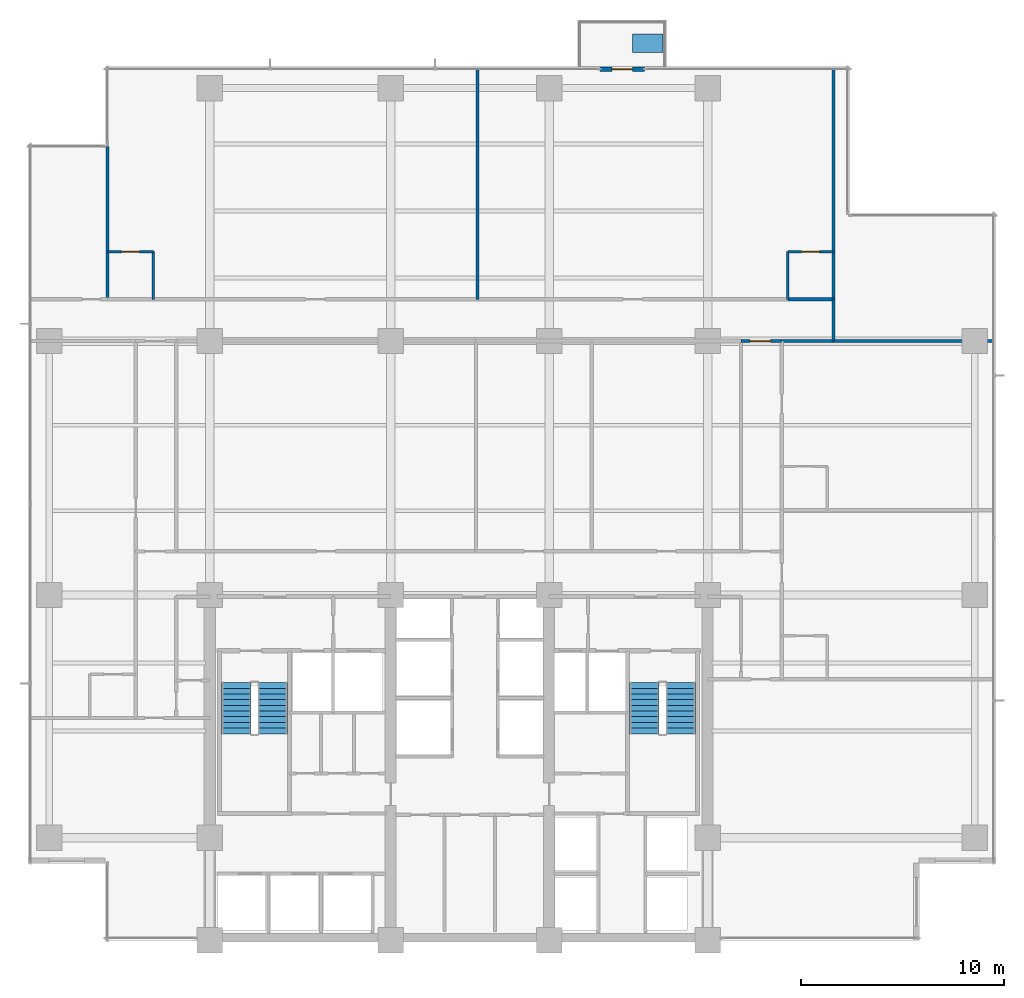
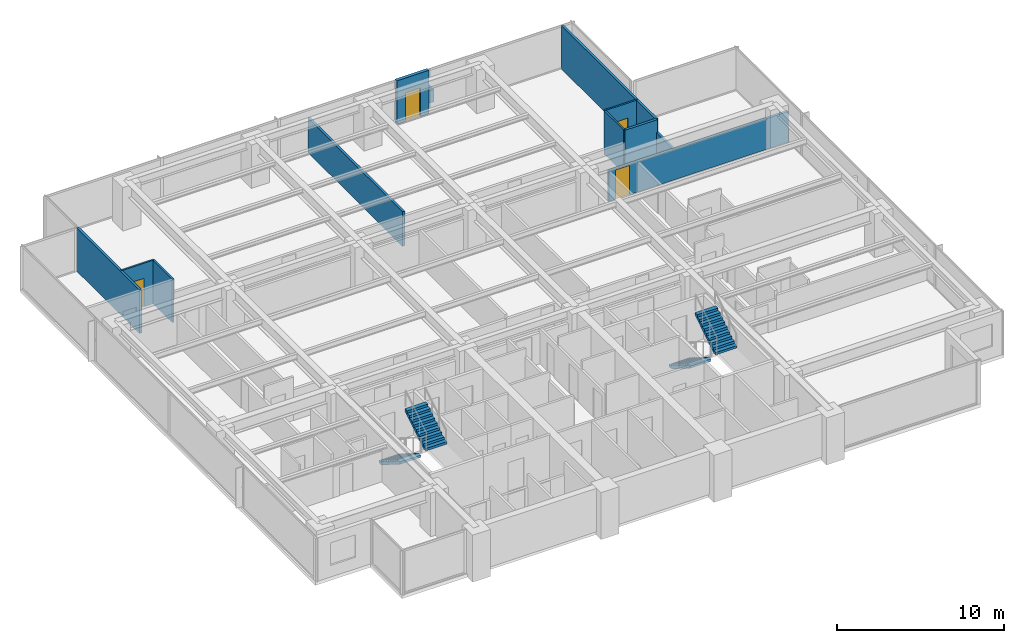
# One storey, part 11 of 16: 12 walls, 4 doors, 4 stair flights, 1 discrete accessory, 4 openings, 2 elements without a shape of their own.
"""IFC4 building model written with IfcOpenShell, lengths in metres."""

from ifc_helpers import new_model, si_unit, direction, frame, frame_2d, origin, place, context, subcontext, project, spatial, polyline, rectangle, outline, extrude, material, layer, layer_set, type_object, element, fill, aggregate, save


model = new_model("IFC4")

# Units and contexts
model_context = context("Model", 3, precision=1e-05, world=origin(), true_north=direction((0.0, 1.0)))
body_context = subcontext(model_context, "Body", "Model", "MODEL_VIEW")
ifc_project = project(units=[si_unit("LENGTHUNIT", "METRE"), si_unit("AREAUNIT", "SQUARE_METRE"), si_unit("VOLUMEUNIT", "CUBIC_METRE"), si_unit("PLANEANGLEUNIT", "RADIAN"), si_unit("MASSUNIT", "GRAM", prefix="KILO")], contexts=[model_context])

# Site, building, storey
site_placement = place(None, origin())
site = spatial("IfcSite", under=ifc_project, at=site_placement, CompositionType="ELEMENT")
building_placement = place(site_placement, origin())
building = spatial("IfcBuilding", under=site, at=building_placement, Name="Qalmaran Belvedere Hotel", CompositionType="ELEMENT")
storey_placement = place(building_placement, frame((0.0, 0.0, 126.699951171875)))
storey = spatial("IfcBuildingStorey", under=building, at=storey_placement, Name="L32", CompositionType="ELEMENT", Elevation=126.699951171875)

# Wall, opening, door
ifc_material_1 = material(Name="Anodised Bronze Cladding")
ifc_layer_1 = layer(ifc_material_1, 0.22509765625, Name="Anodised Bronze Cladding")
ifc_layer_set_1 = layer_set([ifc_layer_1], Name="Anodised Bronze Cladding")
wall_type_1 = type_object("IfcWallType", Name="WL-BAL-PORT-225", PredefinedType="SOLIDWALL", material=ifc_layer_set_1)
wall_1_placement = place(storey_placement, frame((39.5, 46.3798828125, 0.0), z_axis=(0.0, 0.0, 1.0), x_axis=(1.0, 0.0, 0.0)))
wall_1 = element("IfcWall", 1, at=wall_1_placement, inside=storey, type_object=wall_type_1, Name="L32 Tree Balcony Door Portal", PredefinedType="SOLIDWALL", context=body_context, shape_type="SweptSolid", body=[
    extrude(rectangle(XDim=2.199951171875, YDim=0.22509765625, at=frame_2d((1.10009765625, 0.0))), origin(), (0.0, 0.0, 1.0), 3.179931640625),
])
opening_1_placement = place(wall_1_placement, frame((0.590087890625, 0.0, 0.0)))
opening_1 = element("IfcOpeningElement", 2, at=opening_1_placement, cuts=wall_1, Name="Opening BL-102", PredefinedType="OPENING", context=body_context, shape_type="SweptSolid", body=[
    extrude(rectangle(XDim=1.02001953125, YDim=2.10009765625, at=frame_2d((0.510009765625, 1.050048828125))), frame((0.0, 0.12255859375, 0.0), z_axis=(0.0, -1.0, 0.0), x_axis=(1.0, 0.0, 0.0)), (0.0, 0.0, 1.0), 0.2451171875),
])
ifc_material_2 = material(Name="Anodised Bronze Aluminium", Category="aluminium")
door_type_1 = type_object("IfcDoorType", Name="DR-BAL-1020X2100", OperationType="NOTDEFINED", PredefinedType="DOOR", material=ifc_material_2)
door_1_placement = place(opening_1_placement, origin())
door_1 = element("IfcDoor", 3, at=door_1_placement, inside=storey, type_object=door_type_1, Name="L32 Planted Tree Balcony Door", OperationType="SINGLE_SWING_LEFT", OverallHeight=2.10009765625, OverallWidth=1.02001953125, PredefinedType="DOOR", context=body_context, shape_type="SweptSolid", body=[
    extrude(rectangle(XDim=1.02001953125, YDim=2.10009765625, at=frame_2d((0.510009765625, 1.050048828125))), frame((0.0, 0.02490234375, 0.0), z_axis=(0.0, -1.0, 0.0), x_axis=(1.0, 0.0, 0.0)), (0.0, 0.0, 1.0), 0.050048828125),
])
fill(opening_1, door_1)

ifc_material_3 = material(Name="Moisture-Resistant Gypsum")
ifc_layer_2 = layer(ifc_material_3, 0.1201171875, Name="Moisture-Resistant Gypsum")
ifc_layer_set_2 = layer_set([ifc_layer_2], Name="Moisture-Resistant Gypsum")
wall_type_2 = type_object("IfcWallType", Name="WL-INT-120-BATH", PredefinedType="PARTITIONING", material=ifc_layer_set_2)
wall_2_placement = place(storey_placement, frame((15.27001953125, 37.39990234375, 0.0), z_axis=(0.0, 0.0, 1.0), x_axis=(1.0, 0.0, 0.0)))
wall_2 = element("IfcWall", 4, at=wall_2_placement, inside=storey, type_object=wall_type_2, Name="L32 Partition WL-L32-NBN00", PredefinedType="PARTITIONING", context=body_context, shape_type="SweptSolid", body=[
    extrude(rectangle(XDim=2.25, YDim=0.1201171875, at=frame_2d((1.125, 0.0))), origin(), (0.0, 0.0, 1.0), 3.179931640625),
])
opening_2_placement = place(wall_2_placement, frame((1.56494140625, 0.0, 0.0), z_axis=(0.0, 0.0, 1.0), x_axis=(-1.0, 0.0, 0.0)))
opening_2 = element("IfcOpeningElement", 5, at=opening_2_placement, cuts=wall_2, Name="Opening D-BATH", PredefinedType="OPENING", context=body_context, shape_type="SweptSolid", body=[
    extrude(rectangle(XDim=0.8798828125, YDim=2.080078125, at=frame_2d((0.43994140625, 1.0400390625))), frame((0.0, 0.070068359375, 0.0), z_axis=(0.0, -1.0, 0.0), x_axis=(1.0, 0.0, 0.0)), (0.0, 0.0, 1.0), 0.14013671875),
])
ifc_material_4 = material(Name="Engineered Oak Veneer")
door_type_2 = type_object("IfcDoorType", Name="DR-INT-BATH-880X2080", OperationType="NOTDEFINED", PredefinedType="DOOR", material=ifc_material_4)
door_2_placement = place(opening_2_placement, origin())
door_2 = element("IfcDoor", 6, at=door_2_placement, inside=storey, type_object=door_type_2, Name="L32 Ensuite Bathroom Door N01", OperationType="SINGLE_SWING_RIGHT", OverallHeight=2.080078125, OverallWidth=0.8798828125, PredefinedType="DOOR", context=body_context, shape_type="SweptSolid", body=[
    extrude(rectangle(XDim=0.8798828125, YDim=2.080078125, at=frame_2d((0.43994140625, 1.0400390625))), frame((0.0, 0.02490234375, 0.0), z_axis=(0.0, -1.0, 0.0), x_axis=(1.0, 0.0, 0.0)), (0.0, 0.0, 1.0), 0.050048828125),
])
fill(opening_2, door_2)

# Wall
wall_3_placement = place(storey_placement, frame((17.52001953125, 35.050048828125, 0.0), z_axis=(0.0, 0.0, 1.0), x_axis=(0.0, 1.0, 0.0)))
element("IfcWall", 7, at=wall_3_placement, inside=storey, type_object=wall_type_2, Name="L32 Partition WL-L32-NBS00", PredefinedType="PARTITIONING", context=body_context, shape_type="SweptSolid", body=[
    extrude(rectangle(XDim=2.349853515625, YDim=0.1201171875, at=frame_2d((1.1748046875, 0.0))), origin(), (0.0, 0.0, 1.0), 3.179931640625),
])

# Wall, opening, door
wall_4_placement = place(storey_placement, frame((48.75, 37.39990234375, 0.0), z_axis=(0.0, 0.0, 1.0), x_axis=(1.0, 0.0, 0.0)))
wall_4 = element("IfcWall", 8, at=wall_4_placement, inside=storey, type_object=wall_type_2, Name="L32 Partition WL-L32-NBN01", PredefinedType="PARTITIONING", context=body_context, shape_type="SweptSolid", body=[
    extrude(rectangle(XDim=2.25, YDim=0.1201171875, at=frame_2d((1.125, 0.0))), origin(), (0.0, 0.0, 1.0), 3.179931640625),
])
opening_3_placement = place(wall_4_placement, frame((1.56494140625, 0.0, 0.0), z_axis=(0.0, 0.0, 1.0), x_axis=(-1.0, 0.0, 0.0)))
opening_3 = element("IfcOpeningElement", 9, at=opening_3_placement, cuts=wall_4, Name="Opening D-BATH", PredefinedType="OPENING", context=body_context, shape_type="SweptSolid", body=[
    extrude(rectangle(XDim=0.8798828125, YDim=2.080078125, at=frame_2d((0.43994140625, 1.0400390625))), frame((0.0, 0.070068359375, 0.0), z_axis=(0.0, -1.0, 0.0), x_axis=(1.0, 0.0, 0.0)), (0.0, 0.0, 1.0), 0.14013671875),
])
door_3_placement = place(opening_3_placement, origin())
door_3 = element("IfcDoor", 10, at=door_3_placement, inside=storey, type_object=door_type_2, Name="L32 Ensuite Bathroom Door N02", OperationType="SINGLE_SWING_RIGHT", OverallHeight=2.080078125, OverallWidth=0.8798828125, PredefinedType="DOOR", context=body_context, shape_type="SweptSolid", body=[
    extrude(rectangle(XDim=0.8798828125, YDim=2.080078125, at=frame_2d((0.43994140625, 1.0400390625))), frame((0.0, 0.02490234375, 0.0), z_axis=(0.0, -1.0, 0.0), x_axis=(1.0, 0.0, 0.0)), (0.0, 0.0, 1.0), 0.050048828125),
])
fill(opening_3, door_3)

# Wall
wall_5_placement = place(storey_placement, frame((48.75, 35.050048828125, 0.0), z_axis=(0.0, 0.0, 1.0), x_axis=(0.0, 1.0, 0.0)))
element("IfcWall", 11, at=wall_5_placement, inside=storey, type_object=wall_type_2, Name="L32 Partition WL-L32-NBS01", PredefinedType="PARTITIONING", context=body_context, shape_type="SweptSolid", body=[
    extrude(rectangle(XDim=2.349853515625, YDim=0.1201171875, at=frame_2d((1.1748046875, 0.0))), origin(), (0.0, 0.0, 1.0), 3.179931640625),
])

# Wall, opening, door
ifc_material_5 = material(Name="Gypsum Stud Partition")
ifc_layer_3 = layer(ifc_material_5, 0.14990234375, Name="Gypsum Stud Partition")
ifc_layer_set_3 = layer_set([ifc_layer_3], Name="Gypsum Stud Partition")
wall_type_3 = type_object("IfcWallType", Name="WL-INT-150-EI60", PredefinedType="PARTITIONING", material=ifc_layer_set_3)
wall_6_placement = place(storey_placement, frame((46.449951171875, 33.0, 0.0), z_axis=(0.0, 0.0, 1.0), x_axis=(1.0, 0.0, 0.0)))
wall_6 = element("IfcWall", 12, at=wall_6_placement, inside=storey, type_object=wall_type_3, Name="L32 Partition WL-L32-XCE2", PredefinedType="PARTITIONING", context=body_context, shape_type="SweptSolid", body=[
    extrude(rectangle(XDim=2.0, YDim=0.14990234375, at=frame_2d((1.0, 0.0))), origin(), (0.0, 0.0, 1.0), 2.2529296875),
])
opening_4_placement = place(wall_6_placement, frame((0.449951171875, 0.0, 0.0)))
opening_4 = element("IfcOpeningElement", 13, at=opening_4_placement, cuts=wall_6, Name="Opening FD90B", PredefinedType="OPENING", context=body_context, shape_type="SweptSolid", body=[
    extrude(rectangle(XDim=1.0, YDim=2.14990234375, at=frame_2d((0.5, 1.074951171875))), frame((0.0, 0.0849609375, 0.0), z_axis=(0.0, -1.0, 0.0), x_axis=(1.0, 0.0, 0.0)), (0.0, 0.0, 1.0), 0.169921875),
])
ifc_material_6 = material(Name="Steel S355JR", Category="steel")
door_type_3 = type_object("IfcDoorType", Name="DR-FD90B-1000X2150", OperationType="NOTDEFINED", PredefinedType="DOOR", material=ifc_material_6)
door_4_placement = place(opening_4_placement, origin())
door_4 = element("IfcDoor", 14, at=door_4_placement, inside=storey, type_object=door_type_3, Name="L32 East Corridor Smoke Door N", OperationType="SINGLE_SWING_RIGHT", OverallHeight=2.14990234375, OverallWidth=1.0, PredefinedType="DOOR", context=body_context, shape_type="SweptSolid", body=[
    extrude(rectangle(XDim=1.0, YDim=2.14990234375, at=frame_2d((0.5, 1.074951171875))), frame((0.0, 0.02490234375, 0.0), z_axis=(0.0, -1.0, 0.0), x_axis=(1.0, 0.0, 0.0)), (0.0, 0.0, 1.0), 0.050048828125),
])
fill(opening_4, door_4)

# Walls
ifc_layer_4 = layer(ifc_material_5, 0.159912109375, Name="Gypsum Stud Partition")
ifc_layer_set_4 = layer_set([ifc_layer_4], Name="Gypsum Stud Partition")
wall_type_4 = type_object("IfcWallType", Name="WL-INT-160-EI60", PredefinedType="PARTITIONING", material=ifc_layer_set_4)
wall_7_placement = place(storey_placement, frame((51.0, 33.0, 0.0), z_axis=(0.0, 0.0, 1.0), x_axis=(0.0, 1.0, 0.0)))
element("IfcWall", 15, at=wall_7_placement, inside=storey, type_object=wall_type_4, Name="L32 Partition WL-L32-NCGE", PredefinedType="PARTITIONING", context=body_context, shape_type="SweptSolid", body=[
    extrude(rectangle(XDim=2.050048828125, YDim=0.159912109375, at=frame_2d((1.02490234375, 0.0))), origin(), (0.0, 0.0, 1.0), 2.2529296875),
])
wall_8_placement = place(storey_placement, frame((15.27001953125, 35.050048828125, 0.0), z_axis=(0.0, 0.0, 1.0), x_axis=(0.0, 1.0, 0.0)))
element("IfcWall", 16, at=wall_8_placement, inside=storey, type_object=wall_type_4, Name="L32 Partition WL-L32-NUL", PredefinedType="PARTITIONING", context=body_context, shape_type="SweptSolid", body=[
    extrude(rectangle(XDim=7.530029296875, YDim=0.159912109375, at=frame_2d((3.76513671875, 0.0))), origin(), (0.0, 0.0, 1.0), 3.179931640625),
])
wall_9_placement = place(storey_placement, frame((33.47509765625, 35.050048828125, 0.0), z_axis=(0.0, 0.0, 1.0), x_axis=(0.0, 1.0, 0.0)))
element("IfcWall", 17, at=wall_9_placement, inside=storey, type_object=wall_type_4, Name="L32 Partition WL-L32-NUR00", PredefinedType="PARTITIONING", context=body_context, shape_type="SweptSolid", body=[
    extrude(rectangle(XDim=11.329833984375, YDim=0.159912109375, at=frame_2d((5.6650390625, 0.0))), origin(), (0.0, 0.0, 1.0), 2.54296875),
])
wall_10_placement = place(storey_placement, frame((51.0, 35.050048828125, 0.0), z_axis=(0.0, 0.0, 1.0), x_axis=(0.0, 1.0, 0.0)))
element("IfcWall", 18, at=wall_10_placement, inside=storey, type_object=wall_type_4, Name="L32 Partition WL-L32-NUR01", PredefinedType="PARTITIONING", context=body_context, shape_type="SweptSolid", body=[
    extrude(rectangle(XDim=11.329833984375, YDim=0.159912109375, at=frame_2d((5.6650390625, 0.0))), origin(), (0.0, 0.0, 1.0), 3.179931640625),
])
wall_11_placement = place(storey_placement, frame((48.449951171875, 33.0, 0.0), z_axis=(0.0, 0.0, 1.0), x_axis=(1.0, 0.0, 0.0)))
element("IfcWall", 19, at=wall_11_placement, inside=storey, type_object=wall_type_4, Name="L32 Partition WL-L32-EU01", PredefinedType="PARTITIONING", context=body_context, shape_type="SweptSolid", body=[
    extrude(rectangle(XDim=10.429931640625, YDim=0.159912109375, at=frame_2d((5.21484375, 0.0))), origin(), (0.0, 0.0, 1.0), 2.2529296875),
])
ifc_layer_5 = layer(ifc_material_5, 0.179931640625, Name="Gypsum Stud Partition")
ifc_layer_set_5 = layer_set([ifc_layer_5], Name="Gypsum Stud Partition")
wall_type_5 = type_object("IfcWallType", Name="WL-INT-180-EI60", PredefinedType="PARTITIONING", material=ifc_layer_set_5)
wall_12_placement = place(storey_placement, frame((48.75, 35.050048828125, 0.0), z_axis=(0.0, 0.0, 1.0), x_axis=(1.0, 0.0, 0.0)))
element("IfcWall", 20, at=wall_12_placement, inside=storey, type_object=wall_type_5, Name="L32 Partition WL-L32-NBC01", PredefinedType="PARTITIONING", context=body_context, shape_type="SweptSolid", body=[
    extrude(rectangle(XDim=2.25, YDim=0.179931640625, at=frame_2d((1.125, 0.0))), origin(), (0.0, 0.0, 1.0), 3.179931640625),
])

# Stair, stair flights
ifc_material_7 = material(Name="Concrete C40/50", Category="concrete")
stair_type_1 = type_object("IfcStairType", Name="STR-ST-1-1450-R1750", PredefinedType="HALF_TURN_STAIR", material=ifc_material_7)
stair_1_placement = place(storey_placement, origin())
stair_1 = element("IfcStair", 21, at=stair_1_placement, inside=storey, type_object=stair_type_1, Name="L32 West Core Exit Stair ST-1", PredefinedType="HALF_TURN_STAIR")
ifc_layer_6 = layer(ifc_material_7, 0.14990234375, Name="Concrete C40/50")
ifc_layer_set_6 = layer_set([ifc_layer_6], Name="Concrete C40/50")
stair_flight_type_1 = type_object("IfcStairFlightType", Name="STF-ST-1-1450-R1750", PredefinedType="STRAIGHT", material=ifc_layer_set_6)
stair_flight_1_placement = place(storey_placement, frame((21.60498046875, 16.18994140625, 0.0), z_axis=(0.0, 0.0, 1.0), x_axis=(0.0, -1.0, 0.0)))
stair_flight_1 = element("IfcStairFlight", 22, at=stair_flight_1_placement, type_object=stair_flight_type_1, Name="ST-1 flight 1", NumberOfRisers=10, NumberOfTreads=9, PredefinedType="STRAIGHT", RiserHeight=0.175, TreadLength=0.28, context=body_context, shape_type="SweptSolid", body=[
    extrude(outline(polyline([(0.0, 0.0), (0.0, 0.175048828125), (0.280029296875, 0.175048828125), (0.280029296875, 0.35009765625), (0.56005859375, 0.35009765625), (0.56005859375, 0.52490234375), (0.840087890625, 0.52490234375), (0.840087890625, 0.699951171875), (1.1201171875, 0.699951171875), (1.1201171875, 0.875), (1.39990234375, 0.875), (1.39990234375, 1.050048828125), (1.679931640625, 1.050048828125), (1.679931640625, 1.22509765625), (1.9599609375, 1.22509765625), (1.9599609375, 1.39990234375), (2.239990234375, 1.39990234375), (2.239990234375, 1.574951171875), (2.52001953125, 1.574951171875), (2.52001953125, 1.75), (2.52001953125, 1.398193359375), (0.28271484375, 0.0), (0.0, 0.0)])), frame((0.0, 0.72509765625, 0.0), z_axis=(0.0, -1.0, 0.0), x_axis=(1.0, 0.0, 0.0)), (0.0, 0.0, 1.0), 1.449951171875),
])
stair_flight_2_placement = place(storey_placement, frame((23.39501953125, 13.669921875, 1.75), z_axis=(0.0, 0.0, 1.0), x_axis=(0.0, 1.0, 0.0)))
stair_flight_2 = element("IfcStairFlight", 23, at=stair_flight_2_placement, type_object=stair_flight_type_1, Name="ST-1 flight 2", NumberOfRisers=10, NumberOfTreads=9, PredefinedType="STRAIGHT", RiserHeight=0.175, TreadLength=0.28, context=body_context, shape_type="SweptSolid", body=[
    extrude(outline(polyline([(0.0, 0.0), (0.0, 0.175048828125), (0.280029296875, 0.175048828125), (0.280029296875, 0.35009765625), (0.56005859375, 0.35009765625), (0.56005859375, 0.52490234375), (0.840087890625, 0.52490234375), (0.840087890625, 0.699951171875), (1.1201171875, 0.699951171875), (1.1201171875, 0.875), (1.39990234375, 0.875), (1.39990234375, 1.050048828125), (1.679931640625, 1.050048828125), (1.679931640625, 1.22509765625), (1.9599609375, 1.22509765625), (1.9599609375, 1.39990234375), (2.239990234375, 1.39990234375), (2.239990234375, 1.574951171875), (2.52001953125, 1.574951171875), (2.52001953125, 1.75), (2.52001953125, 1.398193359375), (0.28271484375, 0.0), (0.0, 0.0)])), frame((0.0, 0.72509765625, 0.0), z_axis=(0.0, -1.0, 0.0), x_axis=(1.0, 0.0, 0.0)), (0.0, 0.0, 1.0), 1.449951171875),
])
aggregate(stair_1, [stair_flight_1, stair_flight_2])

stair_type_2 = type_object("IfcStairType", Name="STR-ST-2-1450-R1750", PredefinedType="HALF_TURN_STAIR", material=ifc_material_7)
stair_2_placement = place(storey_placement, origin())
stair_2 = element("IfcStair", 24, at=stair_2_placement, inside=storey, type_object=stair_type_2, Name="L32 East Core Exit Stair ST-2", PredefinedType="HALF_TURN_STAIR")
ifc_layer_7 = layer(ifc_material_7, 0.14990234375, Name="Concrete C40/50")
ifc_layer_set_7 = layer_set([ifc_layer_7], Name="Concrete C40/50")
stair_flight_type_2 = type_object("IfcStairFlightType", Name="STF-ST-2-1450-R1750", PredefinedType="STRAIGHT", material=ifc_layer_set_7)
stair_flight_3_placement = place(storey_placement, frame((41.68505859375, 16.18994140625, 0.0), z_axis=(0.0, 0.0, 1.0), x_axis=(0.0, -1.0, 0.0)))
stair_flight_3 = element("IfcStairFlight", 25, at=stair_flight_3_placement, type_object=stair_flight_type_2, Name="ST-2 flight 1", NumberOfRisers=10, NumberOfTreads=9, PredefinedType="STRAIGHT", RiserHeight=0.175, TreadLength=0.28, context=body_context, shape_type="SweptSolid", body=[
    extrude(outline(polyline([(0.0, 0.0), (0.0, 0.175048828125), (0.280029296875, 0.175048828125), (0.280029296875, 0.35009765625), (0.56005859375, 0.35009765625), (0.56005859375, 0.52490234375), (0.840087890625, 0.52490234375), (0.840087890625, 0.699951171875), (1.1201171875, 0.699951171875), (1.1201171875, 0.875), (1.39990234375, 0.875), (1.39990234375, 1.050048828125), (1.679931640625, 1.050048828125), (1.679931640625, 1.22509765625), (1.9599609375, 1.22509765625), (1.9599609375, 1.39990234375), (2.239990234375, 1.39990234375), (2.239990234375, 1.574951171875), (2.52001953125, 1.574951171875), (2.52001953125, 1.75), (2.52001953125, 1.398193359375), (0.28271484375, 0.0), (0.0, 0.0)])), frame((0.0, 0.72509765625, 0.0), z_axis=(0.0, -1.0, 0.0), x_axis=(1.0, 0.0, 0.0)), (0.0, 0.0, 1.0), 1.449951171875),
])
stair_flight_4_placement = place(storey_placement, frame((43.47509765625, 13.669921875, 1.75), z_axis=(0.0, 0.0, 1.0), x_axis=(0.0, 1.0, 0.0)))
stair_flight_4 = element("IfcStairFlight", 26, at=stair_flight_4_placement, type_object=stair_flight_type_2, Name="ST-2 flight 2", NumberOfRisers=10, NumberOfTreads=9, PredefinedType="STRAIGHT", RiserHeight=0.175, TreadLength=0.28, context=body_context, shape_type="SweptSolid", body=[
    extrude(outline(polyline([(0.0, 0.0), (0.0, 0.175048828125), (0.280029296875, 0.175048828125), (0.280029296875, 0.35009765625), (0.56005859375, 0.35009765625), (0.56005859375, 0.52490234375), (0.840087890625, 0.52490234375), (0.840087890625, 0.699951171875), (1.1201171875, 0.699951171875), (1.1201171875, 0.875), (1.39990234375, 0.875), (1.39990234375, 1.050048828125), (1.679931640625, 1.050048828125), (1.679931640625, 1.22509765625), (1.9599609375, 1.22509765625), (1.9599609375, 1.39990234375), (2.239990234375, 1.39990234375), (2.239990234375, 1.574951171875), (2.52001953125, 1.574951171875), (2.52001953125, 1.75), (2.52001953125, 1.398193359375), (0.28271484375, 0.0), (0.0, 0.0)])), frame((0.0, 0.72509765625, 0.0), z_axis=(0.0, -1.0, 0.0), x_axis=(1.0, 0.0, 0.0)), (0.0, 0.0, 1.0), 1.449951171875),
])
aggregate(stair_2, [stair_flight_3, stair_flight_4])

# Discrete accessory
discrete_accessory_type = type_object("IfcDiscreteAccessoryType", Name="PLN-BAL-1500", PredefinedType="USERDEFINED", material=ifc_material_7)
discrete_accessory_placement = place(storey_placement, origin())
element("IfcDiscreteAccessory", 27, at=discrete_accessory_placement, inside=storey, type_object=discrete_accessory_type, Name="L32 Sky Tree Planter", ObjectType="PLANTER", PredefinedType="USERDEFINED", context=body_context, shape_type="SweptSolid", body=[
    extrude(outline(polyline([(41.10009765625, 47.199951171875), (42.60009765625, 47.199951171875), (42.60009765625, 48.10009765625), (41.10009765625, 48.10009765625), (41.10009765625, 47.199951171875)])), origin(), (0.0, 0.0, 1.0), 0.900146484375),
])

save(model, "model.ifc")
